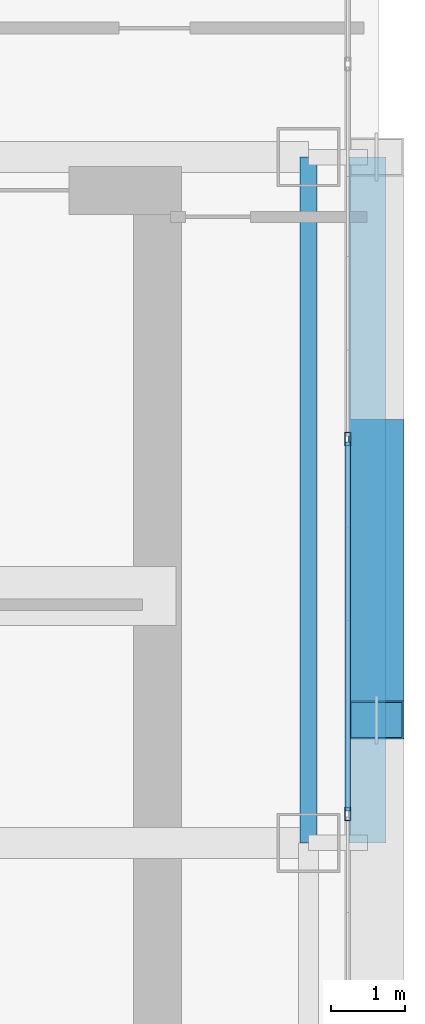
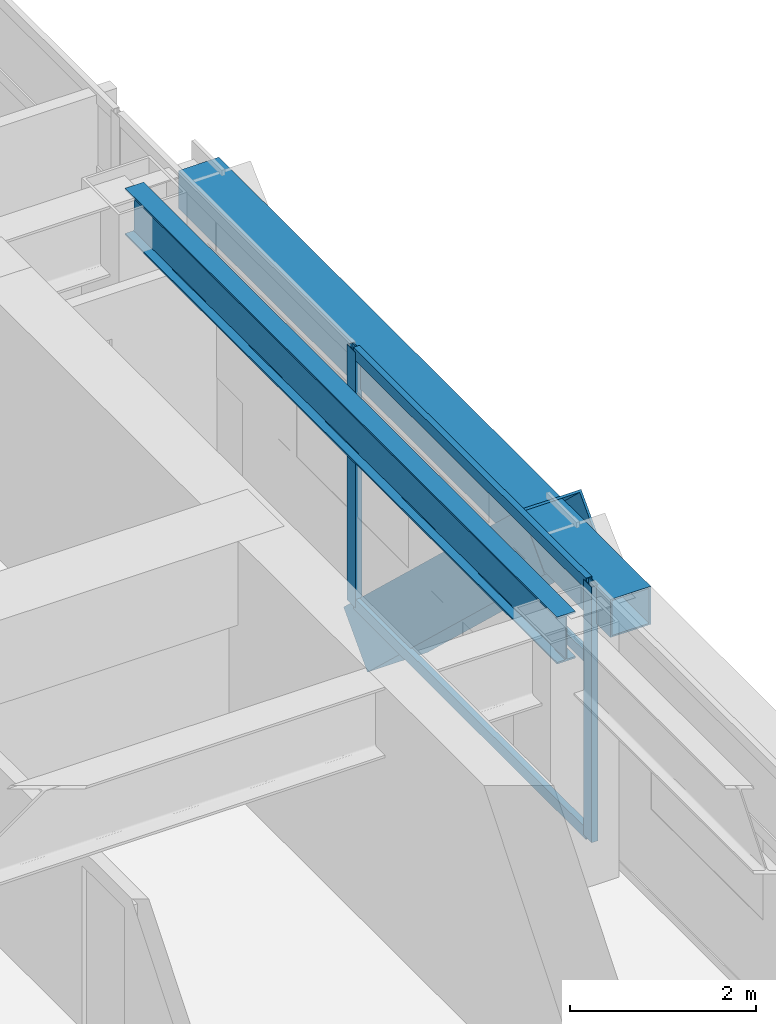
# One storey, part 15 of 34: 6 members, 2 beams, 1 element without a shape of its own.
"""IFC4 building model written with IfcOpenShell, lengths in metres."""

from ifc_helpers import new_model, si_unit, direction, frame, origin, origin_2d, place, context, subcontext, project, spatial, hollow_rectangle, i_section, extrude, source, transform, mapped, material, layer, layer_set, material_profile, profile_set, type_object, element, aggregate, save


model = new_model("IFC4")

# Units and contexts
model_context = context("Model", 3, precision=1e-05, world=origin(), true_north=direction((0.0, 1.0)))
body_context = subcontext(model_context, "Body", "Model", "MODEL_VIEW")
ifc_project = project(units=[si_unit("LENGTHUNIT", "METRE"), si_unit("AREAUNIT", "SQUARE_METRE"), si_unit("VOLUMEUNIT", "CUBIC_METRE"), si_unit("PLANEANGLEUNIT", "RADIAN"), si_unit("MASSUNIT", "GRAM", prefix="KILO")], contexts=[model_context])

# Site, building, storey
site_placement = place(None, origin())
site = spatial("IfcSite", under=ifc_project, at=site_placement, CompositionType="ELEMENT")
building_placement = place(site_placement, origin())
building = spatial("IfcBuilding", under=site, at=building_placement, Name="Ocotamira Hotel", CompositionType="ELEMENT")
storey_placement = place(building_placement, frame((0.0, 0.0, 108.0)))
storey = spatial("IfcBuildingStorey", under=building, at=storey_placement, Name="L26", CompositionType="ELEMENT", Elevation=108.0)

# Beams
ifc_material_1 = material(Name="Steel ASTM A992 Grade 50", Category="steel")
ifc_material_profile_1 = material_profile(ifc_material_1, i_section(OverallWidth=0.22998046875, OverallDepth=0.616943359375, WebThickness=0.01318359375, FlangeThickness=0.022216796875, FilletRadius=0.012939453125, at=origin_2d()), Name="W24X94")
ifc_profile_set_1 = profile_set([ifc_material_profile_1], Name="Steel ASTM A992 Grade 50")
beam_type_1 = type_object("IfcBeamType", Name="BM-PRIM-W24X94", PredefinedType="BEAM", material=ifc_profile_set_1)
shared_shape_1 = source(origin(), body_context, "Body", "SweptSolid", [
    extrude(i_section(OverallWidth=0.22998046875, OverallDepth=0.616943359375, WebThickness=0.01318359375, FlangeThickness=0.022216796875, FilletRadius=0.012939453125, at=origin_2d()), origin(), (0.0, 0.0, 1.0), 9.300048828125),
])
beam_1_placement = place(storey_placement, frame((55.050048828125, 28.14990234375, 3.051513671875), z_axis=(0.0, 1.0, 0.0), x_axis=(-1.0, 0.0, 0.0)))
element("IfcBeam", 1, at=beam_1_placement, inside=storey, type_object=beam_type_1, Name="L26 Beam X55.05 Y28.15-37.45", PredefinedType="BEAM", context=body_context, shape_type="MappedRepresentation", body=[
    mapped(shared_shape_1, transform((0.0, 0.0, 0.0), scale=1.0)),
])
ifc_material_2 = material(Name="Steel ASTM A500 Grade C", Category="steel")
ifc_material_profile_2 = material_profile(ifc_material_2, hollow_rectangle(XDim=0.5, YDim=0.5, WallThickness=0.02001953125, at=origin_2d()), Name="HSS500X500X20")
ifc_profile_set_2 = profile_set([ifc_material_profile_2], Name="Steel ASTM A500 Grade C")
beam_type_2 = type_object("IfcBeamType", Name="BM-SPAN-HSS500", PredefinedType="USERDEFINED", material=ifc_profile_set_2)
shared_shape_2 = source(origin(), body_context, "Body", "SweptSolid", [
    extrude(hollow_rectangle(XDim=0.5, YDim=0.5, WallThickness=0.02001953125, at=origin_2d()), origin(), (0.0, 0.0, 1.0), 9.300048828125),
])
beam_2_placement = place(storey_placement, frame((55.85009765625, 28.14990234375, 3.110107421875), z_axis=(0.0, 1.0, 0.0), x_axis=(-1.0, 0.0, 0.0)))
element("IfcBeam", 2, at=beam_2_placement, inside=storey, type_object=beam_type_2, Name="L26 Edge Spandrel E Y28.15-37.45", ObjectType="SPANDREL", PredefinedType="USERDEFINED", context=body_context, shape_type="MappedRepresentation", body=[
    mapped(shared_shape_2, transform((0.0, 0.0, 0.0), scale=1.0)),
])

# Member
ifc_material_3 = material(Name="Pale-metal coated steel ASTM A913 Grade 65", Category="steel")
ifc_material_profile_3 = material_profile(ifc_material_3, hollow_rectangle(XDim=0.75, YDim=0.75, WallThickness=0.028076171875, at=origin_2d()), Name="BOX750X750X28")
ifc_profile_set_3 = profile_set([ifc_material_profile_3], Name="Pale-metal coated steel ASTM A913 Grade 65")
member_type_1 = type_object("IfcMemberType", Name="MEM-EXO-BOX750", PredefinedType="BRACE", material=ifc_profile_set_3)
shared_shape_3 = source(origin(), body_context, "Body", "SweptSolid", [
    extrude(hollow_rectangle(XDim=0.75, YDim=0.75, WallThickness=0.028076171875, at=origin_2d()), origin(), (0.0, 0.0, 1.0), 5.24658203125),
])
member_1_placement = place(storey_placement, frame((55.969970703125, 33.63330078125, -0.489990234375), z_axis=(0.0, -0.727442733726, 0.686168397078), x_axis=(1.0, 0.0, 0.0)))
element("IfcMember", 3, at=member_1_placement, inside=storey, type_object=member_type_1, Name="L26 Exoskeleton Diagrid E2.1", PredefinedType="BRACE", context=body_context, shape_type="MappedRepresentation", body=[
    mapped(shared_shape_3, transform((0.0, 0.0, 0.0), scale=1.0)),
])

# Curtain wall, members
ifc_material_4 = material(Name="Anodised pale-metal aluminium and solar glass", Category="aluminium")
ifc_layer = layer(ifc_material_4, 0.179931640625)
ifc_layer_set = layer_set([ifc_layer], Name="Anodised pale-metal aluminium and solar glass")
curtain_wall_type = type_object("IfcCurtainWallType", Name="CW-SYS3-Z2", PredefinedType="NOTDEFINED", material=ifc_layer_set)
curtain_wall_placement = place(storey_placement, origin())
curtain_wall = element("IfcCurtainWall", 4, at=curtain_wall_placement, inside=storey, type_object=curtain_wall_type, Name="L26 Curtain Wall CW-3 CW-L26-E", PredefinedType="NOTDEFINED")
ifc_material_5 = material(Name="Anodised pale-metal aluminium 6063-T6", Category="aluminium")
ifc_material_profile_4 = material_profile(ifc_material_5, hollow_rectangle(XDim=0.074951171875, YDim=0.14990234375, WallThickness=0.006103515625, at=origin_2d()), Name="HSS150X75X6")
ifc_profile_set_4 = profile_set([ifc_material_profile_4], Name="Anodised pale-metal aluminium 6063-T6")
member_type_2 = type_object("IfcMemberType", Name="CWT-150X75", PredefinedType="USERDEFINED", material=ifc_profile_set_4)
shared_shape_4 = source(origin(), body_context, "Body", "SweptSolid", [
    extrude(hollow_rectangle(XDim=0.074951171875, YDim=0.14990234375, WallThickness=0.006103515625, at=origin_2d()), origin(), (0.0, 0.0, 1.0), 5.005859375),
])
member_2_placement = place(storey_placement, frame((55.580078125, 28.582763671875, 0.03759765625), z_axis=(0.0, 1.0, 0.0), x_axis=(-1.0, 0.0, 0.0)))
member_2 = element("IfcMember", 5, at=member_2_placement, type_object=member_type_2, Name="CW-3 transom 5.1", ObjectType="TRANSOM", PredefinedType="USERDEFINED", context=body_context, shape_type="MappedRepresentation", body=[
    mapped(shared_shape_4, transform((0.0, 0.0, 0.0), scale=1.0)),
])
member_3_placement = place(storey_placement, frame((55.580078125, 28.582763671875, 2.35009765625), z_axis=(0.0, 1.0, 0.0), x_axis=(-1.0, 0.0, 0.0)))
member_3 = element("IfcMember", 6, at=member_3_placement, type_object=member_type_2, Name="CW-3 transom 5.2", ObjectType="TRANSOM", PredefinedType="USERDEFINED", context=body_context, shape_type="MappedRepresentation", body=[
    mapped(shared_shape_4, transform((0.0, 0.0, 0.0), scale=1.0)),
])
member_4_placement = place(storey_placement, frame((55.580078125, 28.582763671875, 3.322509765625), z_axis=(0.0, 1.0, 0.0), x_axis=(-1.0, 0.0, 0.0)))
member_4 = element("IfcMember", 7, at=member_4_placement, type_object=member_type_2, Name="CW-3 transom 5.3", ObjectType="TRANSOM", PredefinedType="USERDEFINED", context=body_context, shape_type="MappedRepresentation", body=[
    mapped(shared_shape_4, transform((0.0, 0.0, 0.0), scale=1.0)),
])
ifc_material_profile_5 = material_profile(ifc_material_5, hollow_rectangle(XDim=0.080078125, YDim=0.179931640625, WallThickness=0.006103515625, at=origin_2d()), Name="HSS180X80X6")
ifc_profile_set_5 = profile_set([ifc_material_profile_5], Name="Anodised pale-metal aluminium 6063-T6")
member_type_3 = type_object("IfcMemberType", Name="CWM-180X75", PredefinedType="MULLION", material=ifc_profile_set_5)
shared_shape_5 = source(origin(), body_context, "Body", "SweptSolid", [
    extrude(hollow_rectangle(XDim=0.080078125, YDim=0.179931640625, WallThickness=0.006103515625, at=origin_2d()), origin(), (0.0, 0.0, 1.0), 3.360107421875),
])
member_5_placement = place(storey_placement, frame((55.580078125, 28.54296875, 0.0), z_axis=(0.0, 0.0, 1.0), x_axis=(-1.0, 0.0, 0.0)))
member_5 = element("IfcMember", 8, at=member_5_placement, type_object=member_type_3, Name="CW-3 mullion 5", PredefinedType="MULLION", context=body_context, shape_type="MappedRepresentation", body=[
    mapped(shared_shape_5, transform((0.0, 0.0, 0.0), scale=1.0)),
])
member_6_placement = place(storey_placement, frame((55.580078125, 33.628662109375, 0.0), z_axis=(0.0, 0.0, 1.0), x_axis=(-1.0, 0.0, 0.0)))
member_6 = element("IfcMember", 9, at=member_6_placement, type_object=member_type_3, Name="CW-3 mullion 6", PredefinedType="MULLION", context=body_context, shape_type="MappedRepresentation", body=[
    mapped(shared_shape_5, transform((0.0, 0.0, 0.0), scale=1.0)),
])
aggregate(curtain_wall, [member_5, member_6, member_2, member_3, member_4])

save(model, "model.ifc")
